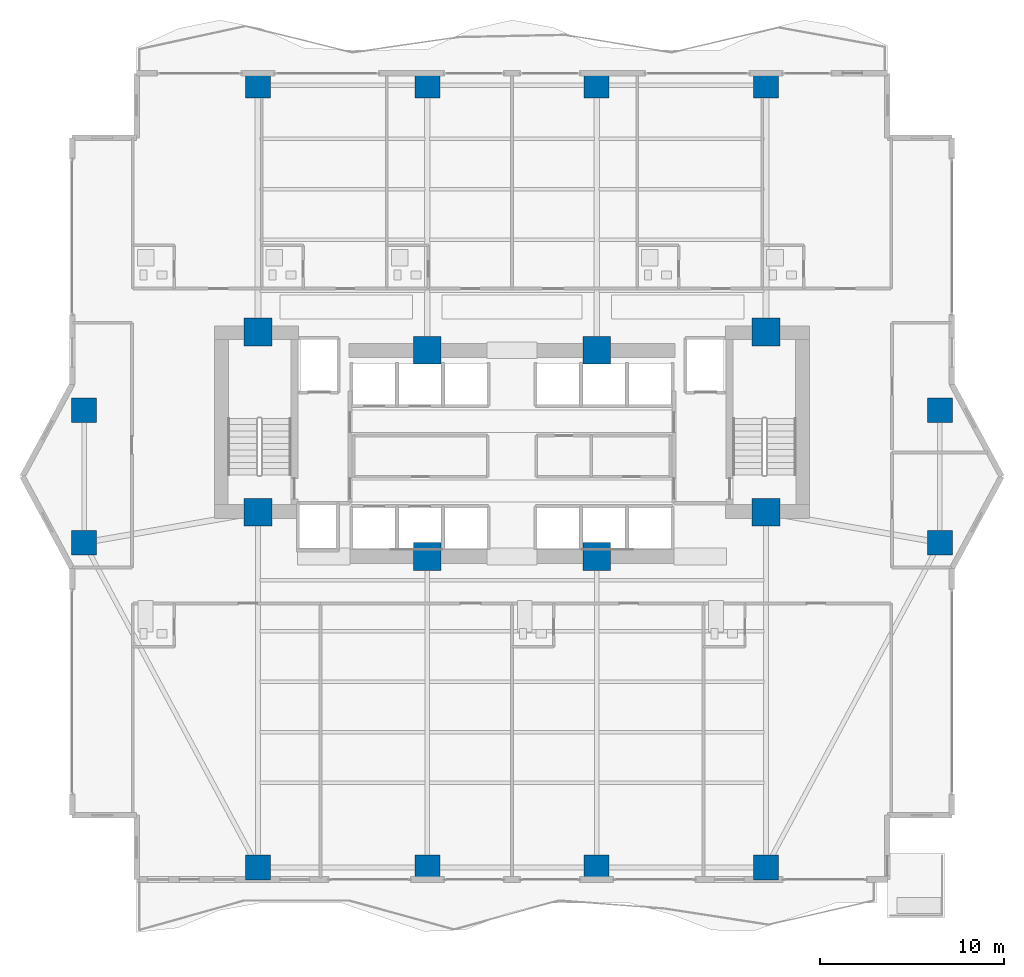
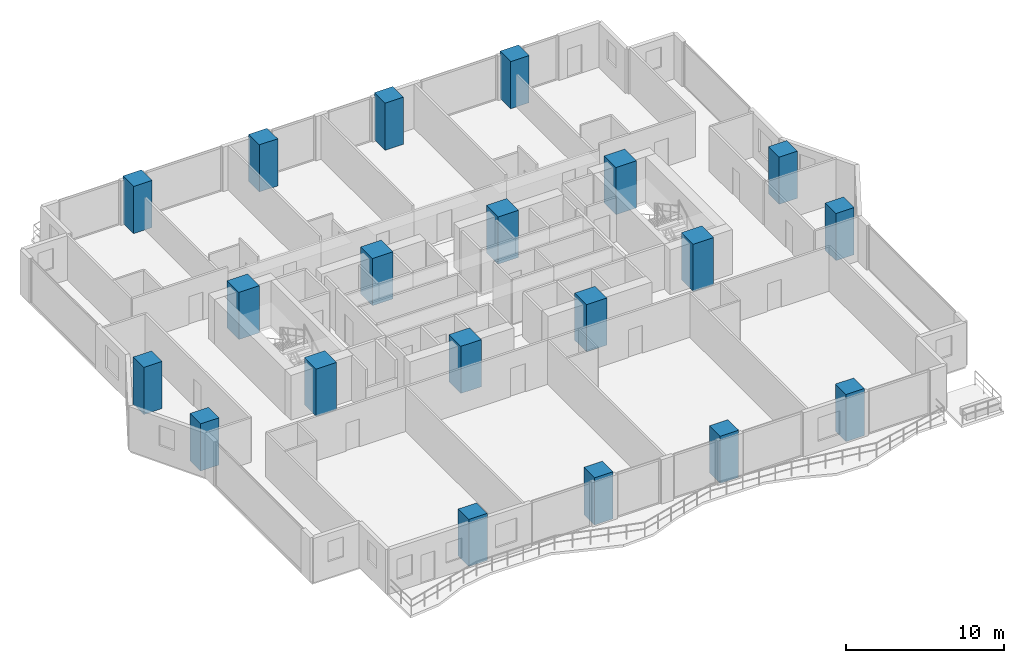
# One storey, part 1 of 30: 20 columns.
"""IFC4 building model written with IfcOpenShell, lengths in metres."""

from ifc_helpers import new_model, si_unit, direction, frame, origin, origin_2d, place, context, subcontext, project, spatial, rectangle, extrude, material, material_profile, profile_set, type_object, element, save


model = new_model("IFC4")

# Units and contexts
model_context = context("Model", 3, precision=1e-05, world=origin(), true_north=direction((0.0, 1.0)))
body_context = subcontext(model_context, "Body", "Model", "MODEL_VIEW")
ifc_project = project(units=[si_unit("LENGTHUNIT", "METRE"), si_unit("AREAUNIT", "SQUARE_METRE"), si_unit("VOLUMEUNIT", "CUBIC_METRE"), si_unit("PLANEANGLEUNIT", "RADIAN"), si_unit("MASSUNIT", "GRAM", prefix="KILO")], contexts=[model_context])

# Site, building, storey
site_placement = place(None, origin())
site = spatial("IfcSite", under=ifc_project, at=site_placement, CompositionType="ELEMENT")
building_placement = place(site_placement, origin())
building = spatial("IfcBuilding", under=site, at=building_placement, Name="Zuhayl Quay Hotel", CompositionType="ELEMENT")
storey_placement = place(building_placement, frame((0.0, 0.0, 135.800048828125)))
storey = spatial("IfcBuildingStorey", under=building, at=storey_placement, Name="L34", CompositionType="ELEMENT", Elevation=135.800048828125)

# Columns
ifc_material = material(Name="Concrete C70/85", Category="concrete")
ifc_material_profile_1 = material_profile(ifc_material, rectangle(XDim=1.5, YDim=1.5, at=origin_2d()), Name="RC1500X1500")
ifc_profile_set_1 = profile_set([ifc_material_profile_1], Name="Concrete C70/85")
column_type_1 = type_object("IfcColumnType", Name="CL_CC1_1500", PredefinedType="COLUMN", material=ifc_profile_set_1)
for number, where, z_axis, x_axis, name in (
    (1, (-13.800048828125, 14.35009765625, 0.0), (0.0, 0.0, 1.0), (1.0, 0.0, 0.0), "L34 Core Column CC_NW"),
    (2, (-4.60009765625, 13.35009765625, 0.0), (0.0, 0.0, 1.0), (1.0, 0.0, 0.0), "L34 Core Column CC_CNW"),
    (3, (4.60009765625, 13.35009765625, 0.0), (0.0, 0.0, 1.0), (1.0, 0.0, 0.0), "L34 Core Column CC_CNE"),
    (4, (13.800048828125, 14.35009765625, 0.0), (0.0, 0.0, 1.0), (1.0, 0.0, 0.0), "L34 Core Column CC_NE"),
    (5, (-13.800048828125, 4.550048828125, 0.0), (0.0, 0.0, 1.0), (1.0, 0.0, 0.0), "L34 Core Column CC_SW"),
    (6, (-4.60009765625, 2.14990234375, 0.0), (0.0, 0.0, 1.0), (1.0, 0.0, 0.0), "L34 Core Column CC_CSW"),
    (7, (4.60009765625, 2.14990234375, 0.0), (0.0, 0.0, 1.0), (1.0, 0.0, 0.0), "L34 Core Column CC_CSE"),
    (8, (13.800048828125, 4.550048828125, 0.0), (0.0, 0.0, 1.0), (1.0, 0.0, 0.0), "L34 Core Column CC_SE"),
):
    element("IfcColumn", number, at=place(storey_placement, frame(where, z_axis=z_axis, x_axis=x_axis)), inside=storey, type_object=column_type_1, Name=name, PredefinedType="COLUMN", context=body_context, shape_type="SweptSolid", body=[
        extrude(rectangle(XDim=1.5, YDim=1.5, at=origin_2d()), origin(), (0.0, 0.0, 1.0), 3.64990234375),
    ])
ifc_material_profile_2 = material_profile(ifc_material, rectangle(XDim=1.35009765625, YDim=1.35009765625, at=origin_2d()), Name="RC1350X1350")
ifc_profile_set_2 = profile_set([ifc_material_profile_2], Name="Concrete C70/85")
column_type_2 = type_object("IfcColumnType", Name="CL_MC2_1350", PredefinedType="COLUMN", material=ifc_profile_set_2)
for number, where, z_axis, x_axis, name in (
    (9, (-13.800048828125, -14.75, 0.0), (0.0, 0.0, 1.0), (1.0, 0.0, 0.0), "L34 Mega-Column MC_S1"),
    (10, (-4.60009765625, -14.75, 0.0), (0.0, 0.0, 1.0), (1.0, 0.0, 0.0), "L34 Mega-Column MC_S2"),
    (11, (4.60009765625, -14.75, 0.0), (0.0, 0.0, 1.0), (1.0, 0.0, 0.0), "L34 Mega-Column MC_S3"),
    (12, (13.800048828125, -14.75, 0.0), (0.0, 0.0, 1.0), (1.0, 0.0, 0.0), "L34 Mega-Column MC_S4"),
    (13, (-13.800048828125, 27.75, 0.0), (0.0, 0.0, 1.0), (1.0, 0.0, 0.0), "L34 Mega-Column MC_N1"),
    (14, (-4.60009765625, 27.75, 0.0), (0.0, 0.0, 1.0), (1.0, 0.0, 0.0), "L34 Mega-Column MC_N2"),
    (15, (4.60009765625, 27.75, 0.0), (0.0, 0.0, 1.0), (1.0, 0.0, 0.0), "L34 Mega-Column MC_N3"),
    (16, (13.800048828125, 27.75, 0.0), (0.0, 0.0, 1.0), (1.0, 0.0, 0.0), "L34 Mega-Column MC_N4"),
    (17, (-23.25, 2.89990234375, 0.0), (0.0, 0.0, 1.0), (1.0, 0.0, 0.0), "L34 Mega-Column MC_W1"),
    (18, (-23.25, 10.10009765625, 0.0), (0.0, 0.0, 1.0), (1.0, 0.0, 0.0), "L34 Mega-Column MC_W2"),
    (19, (23.25, 2.89990234375, 0.0), (0.0, 0.0, 1.0), (1.0, 0.0, 0.0), "L34 Mega-Column MC_E1"),
    (20, (23.25, 10.10009765625, 0.0), (0.0, 0.0, 1.0), (1.0, 0.0, 0.0), "L34 Mega-Column MC_E2"),
):
    element("IfcColumn", number, at=place(storey_placement, frame(where, z_axis=z_axis, x_axis=x_axis)), inside=storey, type_object=column_type_2, Name=name, PredefinedType="COLUMN", context=body_context, shape_type="SweptSolid", body=[
        extrude(rectangle(XDim=1.35009765625, YDim=1.35009765625, at=origin_2d()), origin(), (0.0, 0.0, 1.0), 3.64990234375),
    ])

save(model, "model.ifc")
